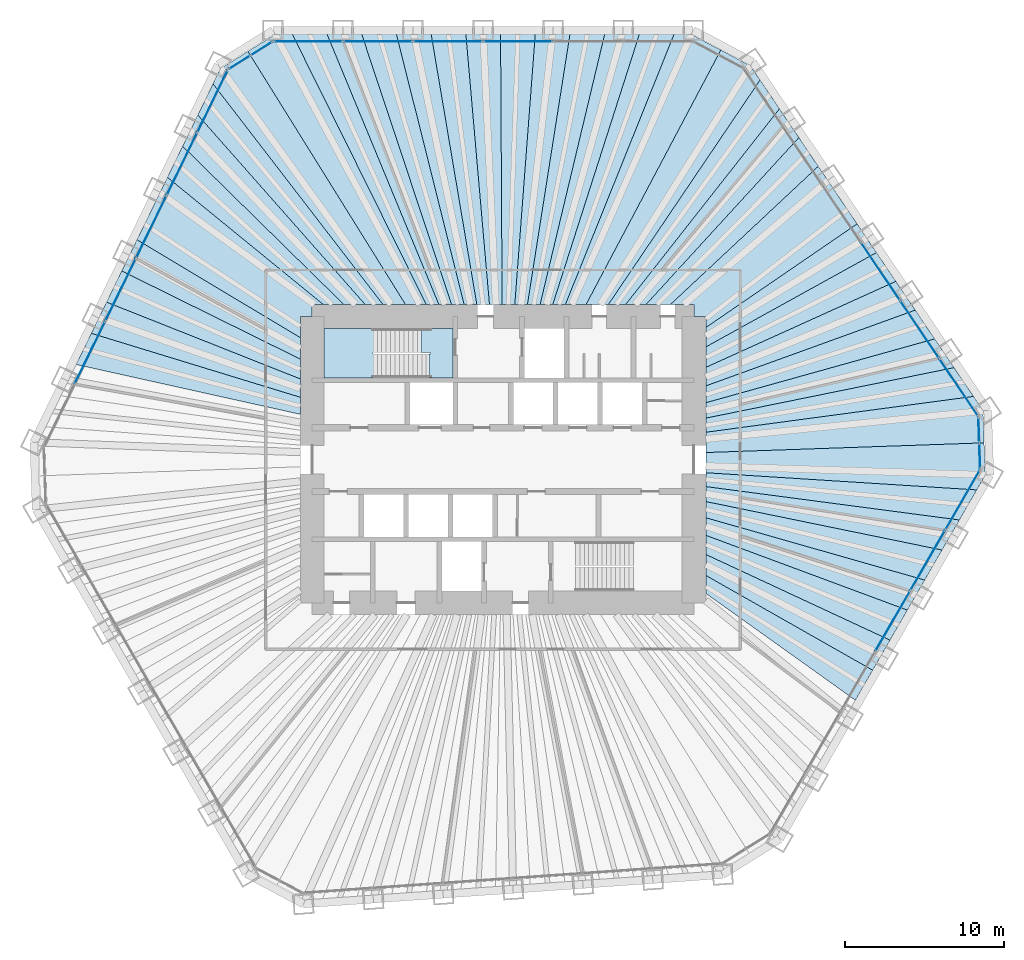
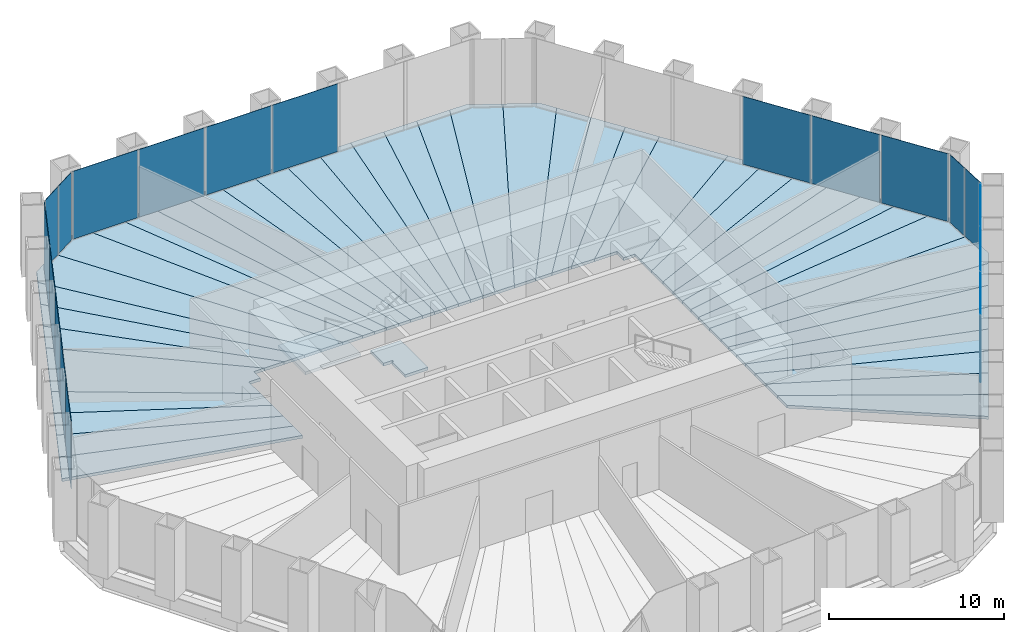
# One storey, part 9 of 13: 44 slabs, 19 plates, 7 elements without a shape of their own.
"""IFC4 building model written with IfcOpenShell, lengths in metres."""

from ifc_helpers import new_model, si_unit, direction, frame, origin, origin_2d, place, context, subcontext, project, spatial, polyline, rectangle, outline, extrude, material, layer, layer_set, type_object, element, aggregate, save


model = new_model("IFC4")

# Units and contexts
model_context = context("Model", 3, precision=1e-05, world=origin(), true_north=direction((0.0, 1.0)))
body_context = subcontext(model_context, "Body", "Model", "MODEL_VIEW")
ifc_project = project(units=[si_unit("LENGTHUNIT", "METRE"), si_unit("AREAUNIT", "SQUARE_METRE"), si_unit("VOLUMEUNIT", "CUBIC_METRE"), si_unit("PLANEANGLEUNIT", "RADIAN"), si_unit("MASSUNIT", "GRAM", prefix="KILO")], contexts=[model_context])

# Site, building, storey
site_placement = place(None, origin())
site = spatial("IfcSite", under=ifc_project, at=site_placement, CompositionType="ELEMENT")
building_placement = place(site_placement, origin())
building = spatial("IfcBuilding", under=site, at=building_placement, Name="Qingtian Harvest Tower", CompositionType="ELEMENT")
storey_placement = place(building_placement, frame((0.0, 0.0, 22.0)))
storey = spatial("IfcBuildingStorey", under=building, at=storey_placement, Name="L04", CompositionType="ELEMENT", Elevation=22.0)

# Slabs
ifc_material_1 = material(Name="Concrete fc' 35 MPa", Category="concrete")
ifc_layer_1 = layer(ifc_material_1, 0.199951171875)
ifc_layer_set_1 = layer_set([ifc_layer_1], Name="Composite floor slab FS20 200")
slab_type_1 = type_object("IfcSlabType", Name="Composite floor slab FS20 200", PredefinedType="FLOOR", material=ifc_layer_set_1)
slab_1_placement = place(storey_placement, frame((0.0, 0.0, -0.199951171875)))
element("IfcSlab", 1, at=slab_1_placement, inside=storey, type_object=slab_type_1, Name="Floor slab L04 panel D32", PredefinedType="FLOOR", context=body_context, shape_type="SweptSolid", body=[
    extrude(outline(polyline([(12.75, -7.279052734375), (23.247802734375, -13.243408203125), (22.159423828125, -15.128662109375), (12.75, -8.4091796875), (12.75, -7.279052734375)])), origin(), (0.0, 0.0, 1.0), 0.199951171875),
])
slab_2_placement = place(storey_placement, frame((0.0, 0.0, -0.199951171875)))
element("IfcSlab", 2, at=slab_2_placement, inside=storey, type_object=slab_type_1, Name="Floor slab L04 panel D33", PredefinedType="FLOOR", context=body_context, shape_type="SweptSolid", body=[
    extrude(outline(polyline([(12.75, -5.96142578125), (24.339111328125, -11.353515625), (23.247802734375, -13.243408203125), (12.75, -7.279052734375), (12.75, -5.96142578125)])), origin(), (0.0, 0.0, 1.0), 0.199951171875),
])
slab_3_placement = place(storey_placement, frame((0.0, 0.0, -0.199951171875)))
element("IfcSlab", 3, at=slab_3_placement, inside=storey, type_object=slab_type_1, Name="Floor slab L04 panel D34", PredefinedType="FLOOR", context=body_context, shape_type="SweptSolid", body=[
    extrude(outline(polyline([(12.75, -4.757080078125), (25.43017578125, -9.46337890625), (24.339111328125, -11.353515625), (12.75, -5.96142578125), (12.75, -4.757080078125)])), origin(), (0.0, 0.0, 1.0), 0.199951171875),
])
slab_4_placement = place(storey_placement, frame((0.0, 0.0, -0.199951171875)))
element("IfcSlab", 4, at=slab_4_placement, inside=storey, type_object=slab_type_1, Name="Floor slab L04 panel D35", PredefinedType="FLOOR", context=body_context, shape_type="SweptSolid", body=[
    extrude(outline(polyline([(12.75, -3.651611328125), (26.521484375, -7.573486328125), (25.43017578125, -9.46337890625), (12.75, -4.757080078125), (12.75, -3.651611328125)])), origin(), (0.0, 0.0, 1.0), 0.199951171875),
])
slab_5_placement = place(storey_placement, frame((0.0, 0.0, -0.199951171875)))
element("IfcSlab", 5, at=slab_5_placement, inside=storey, type_object=slab_type_1, Name="Floor slab L04 panel D36", PredefinedType="FLOOR", context=body_context, shape_type="SweptSolid", body=[
    extrude(outline(polyline([(12.75, -2.634033203125), (27.612548828125, -5.68359375), (26.521484375, -7.573486328125), (12.75, -3.651611328125), (12.75, -2.634033203125)])), origin(), (0.0, 0.0, 1.0), 0.199951171875),
])
slab_6_placement = place(storey_placement, frame((0.0, 0.0, -0.199951171875)))
element("IfcSlab", 6, at=slab_6_placement, inside=storey, type_object=slab_type_1, Name="Floor slab L04 panel D37", PredefinedType="FLOOR", context=body_context, shape_type="SweptSolid", body=[
    extrude(outline(polyline([(12.75, -1.693603515625), (28.703857421875, -3.793701171875), (27.612548828125, -5.68359375), (12.75, -2.634033203125), (12.75, -1.693603515625)])), origin(), (0.0, 0.0, 1.0), 0.199951171875),
])
slab_7_placement = place(storey_placement, frame((0.0, 0.0, -0.199951171875)))
element("IfcSlab", 7, at=slab_7_placement, inside=storey, type_object=slab_type_1, Name="Floor slab L04 panel D38", PredefinedType="FLOOR", context=body_context, shape_type="SweptSolid", body=[
    extrude(outline(polyline([(12.75, -0.822265625), (29.794921875, -1.903564453125), (28.703857421875, -3.793701171875), (12.75, -1.693603515625), (12.75, -0.822265625)])), origin(), (0.0, 0.0, 1.0), 0.199951171875),
])
slab_8_placement = place(storey_placement, frame((0.0, 0.0, -0.199951171875)))
element("IfcSlab", 8, at=slab_8_placement, inside=storey, type_object=slab_type_1, Name="Floor slab L04 panel D39", PredefinedType="FLOOR", context=body_context, shape_type="SweptSolid", body=[
    extrude(outline(polyline([(12.75, -0.822265625), (12.75, 0.447265625), (30.2587890625, 1.056640625), (30.32958984375, -0.9775390625), (29.794921875, -1.903564453125), (12.75, -0.822265625)])), origin(), (0.0, 0.0, 1.0), 0.199951171875),
])
slab_9_placement = place(storey_placement, frame((0.0, 0.0, -0.199951171875)))
element("IfcSlab", 9, at=slab_9_placement, inside=storey, type_object=slab_type_1, Name="Floor slab L04 panel D40", PredefinedType="FLOOR", context=body_context, shape_type="SweptSolid", body=[
    extrude(outline(polyline([(12.75, 0.447265625), (12.75, 1.72265625), (29.589599609375, 3.977294921875), (30.187744140625, 3.0908203125), (30.2587890625, 1.056640625), (12.75, 0.447265625)])), origin(), (0.0, 0.0, 1.0), 0.199951171875),
])
slab_10_placement = place(storey_placement, frame((0.0, 0.0, -0.199951171875)))
element("IfcSlab", 10, at=slab_10_placement, inside=storey, type_object=slab_type_1, Name="Floor slab L04 panel D41", PredefinedType="FLOOR", context=body_context, shape_type="SweptSolid", body=[
    extrude(outline(polyline([(12.75, 2.610595703125), (28.369140625, 5.78662109375), (29.589599609375, 3.977294921875), (12.75, 1.72265625), (12.75, 2.610595703125)])), origin(), (0.0, 0.0, 1.0), 0.199951171875),
])
slab_11_placement = place(storey_placement, frame((0.0, 0.0, -0.199951171875)))
element("IfcSlab", 11, at=slab_11_placement, inside=storey, type_object=slab_type_1, Name="Floor slab L04 panel D42", PredefinedType="FLOOR", context=body_context, shape_type="SweptSolid", body=[
    extrude(outline(polyline([(12.75, 3.57861328125), (27.14892578125, 7.595947265625), (28.369140625, 5.78662109375), (12.75, 2.610595703125), (12.75, 3.57861328125)])), origin(), (0.0, 0.0, 1.0), 0.199951171875),
])
slab_12_placement = place(storey_placement, frame((0.0, 0.0, -0.199951171875)))
element("IfcSlab", 12, at=slab_12_placement, inside=storey, type_object=slab_type_1, Name="Floor slab L04 panel D43", PredefinedType="FLOOR", context=body_context, shape_type="SweptSolid", body=[
    extrude(outline(polyline([(12.75, 4.6376953125), (25.928466796875, 9.405029296875), (27.14892578125, 7.595947265625), (12.75, 3.57861328125), (12.75, 4.6376953125)])), origin(), (0.0, 0.0, 1.0), 0.199951171875),
])
slab_13_placement = place(storey_placement, frame((0.0, 0.0, -0.199951171875)))
element("IfcSlab", 13, at=slab_13_placement, inside=storey, type_object=slab_type_1, Name="Floor slab L04 panel D44", PredefinedType="FLOOR", context=body_context, shape_type="SweptSolid", body=[
    extrude(outline(polyline([(12.75, 5.8017578125), (24.708251953125, 11.21435546875), (25.928466796875, 9.405029296875), (12.75, 4.6376953125), (12.75, 5.8017578125)])), origin(), (0.0, 0.0, 1.0), 0.199951171875),
])
slab_14_placement = place(storey_placement, frame((0.0, 0.0, -0.199951171875)))
element("IfcSlab", 14, at=slab_14_placement, inside=storey, type_object=slab_type_1, Name="Floor slab L04 panel D45", PredefinedType="FLOOR", context=body_context, shape_type="SweptSolid", body=[
    extrude(outline(polyline([(12.75, 7.087158203125), (23.48779296875, 13.023681640625), (24.708251953125, 11.21435546875), (12.75, 5.8017578125), (12.75, 7.087158203125)])), origin(), (0.0, 0.0, 1.0), 0.199951171875),
])
slab_15_placement = place(storey_placement, frame((0.0, 0.0, -0.199951171875)))
element("IfcSlab", 15, at=slab_15_placement, inside=storey, type_object=slab_type_1, Name="Floor slab L04 panel D46", PredefinedType="FLOOR", context=body_context, shape_type="SweptSolid", body=[
    extrude(outline(polyline([(12.75, 8.30615234375), (22.26953125, 14.829833984375), (23.48779296875, 13.023681640625), (12.75, 7.087158203125), (12.75, 8.30615234375)])), origin(), (0.0, 0.0, 1.0), 0.199951171875),
])
slab_16_placement = place(storey_placement, frame((0.0, 0.0, -0.199951171875)))
element("IfcSlab", 16, at=slab_16_placement, inside=storey, type_object=slab_type_1, Name="Floor slab L04 panel D48", PredefinedType="FLOOR", context=body_context, shape_type="SweptSolid", body=[
    extrude(outline(polyline([(19.8271484375, 18.45068359375), (22.26953125, 14.829833984375), (12.75, 8.30615234375), (12.75, 9.0), (12.0, 9.0), (12.0, 9.75), (10.51806640625, 9.75), (19.8271484375, 18.45068359375)])), origin(), (0.0, 0.0, 1.0), 0.199951171875),
])
slab_17_placement = place(storey_placement, frame((0.0, 0.0, -0.199951171875)))
element("IfcSlab", 17, at=slab_17_placement, inside=storey, type_object=slab_type_1, Name="Floor slab L04 panel D49", PredefinedType="FLOOR", context=body_context, shape_type="SweptSolid", body=[
    extrude(outline(polyline([(8.985107421875, 9.75), (18.60693359375, 20.260009765625), (19.8271484375, 18.45068359375), (10.51806640625, 9.75), (8.985107421875, 9.75)])), origin(), (0.0, 0.0, 1.0), 0.199951171875),
])
slab_18_placement = place(storey_placement, frame((0.0, 0.0, -0.199951171875)))
element("IfcSlab", 18, at=slab_18_placement, inside=storey, type_object=slab_type_1, Name="Floor slab L04 panel D50", PredefinedType="FLOOR", context=body_context, shape_type="SweptSolid", body=[
    extrude(outline(polyline([(7.705078125, 9.75), (17.386474609375, 22.0693359375), (18.60693359375, 20.260009765625), (8.985107421875, 9.75), (7.705078125, 9.75)])), origin(), (0.0, 0.0, 1.0), 0.199951171875),
])
slab_19_placement = place(storey_placement, frame((0.0, 0.0, -0.199951171875)))
element("IfcSlab", 19, at=slab_19_placement, inside=storey, type_object=slab_type_1, Name="Floor slab L04 panel D51", PredefinedType="FLOOR", context=body_context, shape_type="SweptSolid", body=[
    extrude(outline(polyline([(6.61962890625, 9.75), (16.166015625, 23.87841796875), (17.386474609375, 22.0693359375), (7.705078125, 9.75), (6.61962890625, 9.75)])), origin(), (0.0, 0.0, 1.0), 0.199951171875),
])
slab_20_placement = place(storey_placement, frame((0.0, 0.0, -0.199951171875)))
element("IfcSlab", 20, at=slab_20_placement, inside=storey, type_object=slab_type_1, Name="Floor slab L04 panel D52", PredefinedType="FLOOR", context=body_context, shape_type="SweptSolid", body=[
    extrude(outline(polyline([(6.61962890625, 9.75), (5.21875, 9.75), (13.697265625, 25.760009765625), (15.56787109375, 24.765380859375), (16.166015625, 23.87841796875), (6.61962890625, 9.75)])), origin(), (0.0, 0.0, 1.0), 0.199951171875),
])
slab_21_placement = place(storey_placement, frame((0.0, 0.0, -0.199951171875)))
element("IfcSlab", 21, at=slab_21_placement, inside=storey, type_object=slab_type_1, Name="Floor slab L04 panel D53", PredefinedType="FLOOR", context=body_context, shape_type="SweptSolid", body=[
    extrude(outline(polyline([(3.919921875, 9.75), (10.756591796875, 26.7548828125), (11.825927734375, 26.7548828125), (13.697265625, 25.760009765625), (5.21875, 9.75), (3.919921875, 9.75)])), origin(), (0.0, 0.0, 1.0), 0.199951171875),
])
slab_22_placement = place(storey_placement, frame((0.0, 0.0, -0.199951171875)))
element("IfcSlab", 22, at=slab_22_placement, inside=storey, type_object=slab_type_1, Name="Floor slab L04 panel D54", PredefinedType="FLOOR", context=body_context, shape_type="SweptSolid", body=[
    extrude(outline(polyline([(3.12451171875, 9.75), (8.57421875, 26.7548828125), (10.756591796875, 26.7548828125), (3.919921875, 9.75), (3.12451171875, 9.75)])), origin(), (0.0, 0.0, 1.0), 0.199951171875),
])
slab_23_placement = place(storey_placement, frame((0.0, 0.0, -0.199951171875)))
element("IfcSlab", 23, at=slab_23_placement, inside=storey, type_object=slab_type_1, Name="Floor slab L04 panel D55", PredefinedType="FLOOR", context=body_context, shape_type="SweptSolid", body=[
    extrude(outline(polyline([(2.329345703125, 9.75), (6.391845703125, 26.7548828125), (8.57421875, 26.7548828125), (3.12451171875, 9.75), (2.329345703125, 9.75)])), origin(), (0.0, 0.0, 1.0), 0.199951171875),
])
slab_24_placement = place(storey_placement, frame((0.0, 0.0, -0.199951171875)))
element("IfcSlab", 24, at=slab_24_placement, inside=storey, type_object=slab_type_1, Name="Floor slab L04 panel D56", PredefinedType="FLOOR", context=body_context, shape_type="SweptSolid", body=[
    extrude(outline(polyline([(1.533935546875, 9.75), (4.20947265625, 26.7548828125), (6.391845703125, 26.7548828125), (2.329345703125, 9.75), (1.533935546875, 9.75)])), origin(), (0.0, 0.0, 1.0), 0.199951171875),
])
slab_25_placement = place(storey_placement, frame((0.0, 0.0, -0.199951171875)))
element("IfcSlab", 25, at=slab_25_placement, inside=storey, type_object=slab_type_1, Name="Floor slab L04 panel D57", PredefinedType="FLOOR", context=body_context, shape_type="SweptSolid", body=[
    extrude(outline(polyline([(0.73876953125, 9.75), (2.02734375, 26.7548828125), (4.20947265625, 26.7548828125), (1.533935546875, 9.75), (0.73876953125, 9.75)])), origin(), (0.0, 0.0, 1.0), 0.199951171875),
])
slab_26_placement = place(storey_placement, frame((0.0, 0.0, -0.199951171875)))
element("IfcSlab", 26, at=slab_26_placement, inside=storey, type_object=slab_type_1, Name="Floor slab L04 panel D58", PredefinedType="FLOOR", context=body_context, shape_type="SweptSolid", body=[
    extrude(outline(polyline([(-0.056396484375, 9.75), (-0.155029296875, 26.7548828125), (2.02734375, 26.7548828125), (0.73876953125, 9.75), (-0.056396484375, 9.75)])), origin(), (0.0, 0.0, 1.0), 0.199951171875),
])
slab_27_placement = place(storey_placement, frame((0.0, 0.0, -0.199951171875)))
element("IfcSlab", 27, at=slab_27_placement, inside=storey, type_object=slab_type_1, Name="Floor slab L04 panel D59", PredefinedType="FLOOR", context=body_context, shape_type="SweptSolid", body=[
    extrude(outline(polyline([(-0.851806640625, 9.75), (-2.33740234375, 26.7548828125), (-0.155029296875, 26.7548828125), (-0.056396484375, 9.75), (-0.851806640625, 9.75)])), origin(), (0.0, 0.0, 1.0), 0.199951171875),
])
slab_28_placement = place(storey_placement, frame((0.0, 0.0, -0.199951171875)))
element("IfcSlab", 28, at=slab_28_placement, inside=storey, type_object=slab_type_1, Name="Floor slab L04 panel D60", PredefinedType="FLOOR", context=body_context, shape_type="SweptSolid", body=[
    extrude(outline(polyline([(-1.64697265625, 9.75), (-4.519775390625, 26.7548828125), (-2.33740234375, 26.7548828125), (-0.851806640625, 9.75), (-1.64697265625, 9.75)])), origin(), (0.0, 0.0, 1.0), 0.199951171875),
])
slab_29_placement = place(storey_placement, frame((0.0, 0.0, -0.199951171875)))
element("IfcSlab", 29, at=slab_29_placement, inside=storey, type_object=slab_type_1, Name="Floor slab L04 panel D61", PredefinedType="FLOOR", context=body_context, shape_type="SweptSolid", body=[
    extrude(outline(polyline([(-2.4423828125, 9.75), (-6.7021484375, 26.7548828125), (-4.519775390625, 26.7548828125), (-1.64697265625, 9.75), (-2.4423828125, 9.75)])), origin(), (0.0, 0.0, 1.0), 0.199951171875),
])
slab_30_placement = place(storey_placement, frame((0.0, 0.0, -0.199951171875)))
element("IfcSlab", 30, at=slab_30_placement, inside=storey, type_object=slab_type_1, Name="Floor slab L04 panel D62", PredefinedType="FLOOR", context=body_context, shape_type="SweptSolid", body=[
    extrude(outline(polyline([(-3.237548828125, 9.75), (-8.88427734375, 26.7548828125), (-6.7021484375, 26.7548828125), (-2.4423828125, 9.75), (-3.237548828125, 9.75)])), origin(), (0.0, 0.0, 1.0), 0.199951171875),
])
slab_31_placement = place(storey_placement, frame((0.0, 0.0, -0.199951171875)))
element("IfcSlab", 31, at=slab_31_placement, inside=storey, type_object=slab_type_1, Name="Floor slab L04 panel D63", PredefinedType="FLOOR", context=body_context, shape_type="SweptSolid", body=[
    extrude(outline(polyline([(-4.032958984375, 9.75), (-11.066650390625, 26.7548828125), (-8.88427734375, 26.7548828125), (-3.237548828125, 9.75), (-4.032958984375, 9.75)])), origin(), (0.0, 0.0, 1.0), 0.199951171875),
])
slab_32_placement = place(storey_placement, frame((0.0, 0.0, -0.199951171875)))
element("IfcSlab", 32, at=slab_32_placement, inside=storey, type_object=slab_type_1, Name="Floor slab L04 panel D64", PredefinedType="FLOOR", context=body_context, shape_type="SweptSolid", body=[
    extrude(outline(polyline([(-4.828125, 9.75), (-13.2490234375, 26.7548828125), (-11.066650390625, 26.7548828125), (-4.032958984375, 9.75), (-4.828125, 9.75)])), origin(), (0.0, 0.0, 1.0), 0.199951171875),
])
slab_33_placement = place(storey_placement, frame((0.0, 0.0, -0.199951171875)))
element("IfcSlab", 33, at=slab_33_placement, inside=storey, type_object=slab_type_1, Name="Floor slab L04 panel D65", PredefinedType="FLOOR", context=body_context, shape_type="SweptSolid", body=[
    extrude(outline(polyline([(-4.828125, 9.75), (-6.130126953125, 9.75), (-16.044921875, 25.67626953125), (-14.318359375, 26.7548828125), (-13.2490234375, 26.7548828125), (-4.828125, 9.75)])), origin(), (0.0, 0.0, 1.0), 0.199951171875),
])
slab_34_placement = place(storey_placement, frame((0.0, 0.0, -0.199951171875)))
element("IfcSlab", 34, at=slab_34_placement, inside=storey, type_object=slab_type_1, Name="Floor slab L04 panel D66", PredefinedType="FLOOR", context=body_context, shape_type="SweptSolid", body=[
    extrude(outline(polyline([(-6.130126953125, 9.75), (-7.544677734375, 9.75), (-18.239501953125, 23.636474609375), (-17.7705078125, 24.597900390625), (-16.044921875, 25.67626953125), (-6.130126953125, 9.75)])), origin(), (0.0, 0.0, 1.0), 0.199951171875),
])
slab_35_placement = place(storey_placement, frame((0.0, 0.0, -0.199951171875)))
element("IfcSlab", 35, at=slab_35_placement, inside=storey, type_object=slab_type_1, Name="Floor slab L04 panel D67", PredefinedType="FLOOR", context=body_context, shape_type="SweptSolid", body=[
    extrude(outline(polyline([(-8.662109375, 9.75), (-19.196044921875, 21.675048828125), (-18.239501953125, 23.636474609375), (-7.544677734375, 9.75), (-8.662109375, 9.75)])), origin(), (0.0, 0.0, 1.0), 0.199951171875),
])
slab_36_placement = place(storey_placement, frame((0.0, 0.0, -0.199951171875)))
element("IfcSlab", 36, at=slab_36_placement, inside=storey, type_object=slab_type_1, Name="Floor slab L04 panel D68", PredefinedType="FLOOR", context=body_context, shape_type="SweptSolid", body=[
    extrude(outline(polyline([(-10.00341796875, 9.75), (-20.15283203125, 19.71337890625), (-19.196044921875, 21.675048828125), (-8.662109375, 9.75), (-10.00341796875, 9.75)])), origin(), (0.0, 0.0, 1.0), 0.199951171875),
])
slab_37_placement = place(storey_placement, frame((0.0, 0.0, -0.199951171875)))
element("IfcSlab", 37, at=slab_37_placement, inside=storey, type_object=slab_type_1, Name="Floor slab L04 panel D69", PredefinedType="FLOOR", context=body_context, shape_type="SweptSolid", body=[
    extrude(outline(polyline([(-11.2939453125, 9.75), (-21.107666015625, 17.755859375), (-20.15283203125, 19.71337890625), (-10.00341796875, 9.75), (-11.2939453125, 9.75)])), origin(), (0.0, 0.0, 1.0), 0.199951171875),
])
slab_38_placement = place(storey_placement, frame((0.0, 0.0, -0.199951171875)))
element("IfcSlab", 38, at=slab_38_placement, inside=storey, type_object=slab_type_1, Name="Floor slab L04 panel D70", PredefinedType="FLOOR", context=body_context, shape_type="SweptSolid", body=[
    extrude(outline(polyline([(-12.0, 9.0), (-12.75, 9.0), (-12.75, 7.67333984375), (-23.0224609375, 13.82958984375), (-21.107666015625, 17.755859375), (-11.2939453125, 9.75), (-12.0, 9.75), (-12.0, 9.0)])), origin(), (0.0, 0.0, 1.0), 0.199951171875),
])
slab_39_placement = place(storey_placement, frame((0.0, 0.0, -0.199951171875)))
element("IfcSlab", 39, at=slab_39_placement, inside=storey, type_object=slab_type_1, Name="Floor slab L04 panel D72", PredefinedType="FLOOR", context=body_context, shape_type="SweptSolid", body=[
    extrude(outline(polyline([(-12.75, 6.3232421875), (-23.979248046875, 11.8681640625), (-23.0224609375, 13.82958984375), (-12.75, 7.67333984375), (-12.75, 6.3232421875)])), origin(), (0.0, 0.0, 1.0), 0.199951171875),
])
slab_40_placement = place(storey_placement, frame((0.0, 0.0, -0.199951171875)))
element("IfcSlab", 40, at=slab_40_placement, inside=storey, type_object=slab_type_1, Name="Floor slab L04 panel D73", PredefinedType="FLOOR", context=body_context, shape_type="SweptSolid", body=[
    extrude(outline(polyline([(-12.75, 5.076904296875), (-24.935791015625, 9.90673828125), (-23.979248046875, 11.8681640625), (-12.75, 6.3232421875), (-12.75, 5.076904296875)])), origin(), (0.0, 0.0, 1.0), 0.199951171875),
])
slab_41_placement = place(storey_placement, frame((0.0, 0.0, -0.199951171875)))
element("IfcSlab", 41, at=slab_41_placement, inside=storey, type_object=slab_type_1, Name="Floor slab L04 panel D74", PredefinedType="FLOOR", context=body_context, shape_type="SweptSolid", body=[
    extrude(outline(polyline([(-12.75, 3.922607421875), (-25.892578125, 7.9453125), (-24.935791015625, 9.90673828125), (-12.75, 5.076904296875), (-12.75, 3.922607421875)])), origin(), (0.0, 0.0, 1.0), 0.199951171875),
])
slab_42_placement = place(storey_placement, frame((0.0, 0.0, -0.199951171875)))
element("IfcSlab", 42, at=slab_42_placement, inside=storey, type_object=slab_type_1, Name="Floor slab L04 panel D75", PredefinedType="FLOOR", context=body_context, shape_type="SweptSolid", body=[
    extrude(outline(polyline([(-12.75, 2.8505859375), (-26.84912109375, 5.98388671875), (-25.892578125, 7.9453125), (-12.75, 3.922607421875), (-12.75, 2.8505859375)])), origin(), (0.0, 0.0, 1.0), 0.199951171875),
])

# Curtain wall, plates
ifc_material_2 = material(Name="Bronze-anodised aluminium curtain wall", Category="aluminium")
curtain_wall_type = type_object("IfcCurtainWallType", Name="Curtain wall CW2 farm reception", PredefinedType="USERDEFINED", material=ifc_material_2)
curtain_wall_1_placement = place(storey_placement, origin())
curtain_wall_1 = element("IfcCurtainWall", 43, at=curtain_wall_1_placement, inside=storey, type_object=curtain_wall_type, Name="Curtain wall CW2 L04 N0-5", ObjectType="RECESSED CURTAIN WALL", PredefinedType="USERDEFINED")
ifc_material_3 = material(Name="Bronze-tinted laminated insulating glass", Category="glass")
ifc_layer_2 = layer(ifc_material_3, 0.030029296875)
ifc_layer_set_2 = layer_set([ifc_layer_2], Name="Glazed panel CWP tinted IGU")
plate_type = type_object("IfcPlateType", Name="Glazed panel CWP tinted IGU", PredefinedType="CURTAIN_PANEL", material=ifc_layer_set_2)
plate_1_placement = place(storey_placement, frame((-12.2529296875, 26.300048828125, 0.06494140625), z_axis=(0.0, 0.0, 1.0), x_axis=(1.0, 0.0, 0.0)))
plate_1 = element("IfcPlate", 44, at=plate_1_placement, type_object=plate_type, Name="CW2 panel 1.1", PredefinedType="CURTAIN_PANEL", context=body_context, shape_type="SweptSolid", body=[
    extrude(rectangle(XDim=4.30712890625, YDim=0.030029296875, at=origin_2d()), origin(), (0.0, 0.0, 1.0), 4.735107421875),
])
plate_2_placement = place(storey_placement, frame((-7.864501953125, 26.300048828125, 0.06494140625), z_axis=(0.0, 0.0, 1.0), x_axis=(1.0, 0.0, 0.0)))
plate_2 = element("IfcPlate", 45, at=plate_2_placement, type_object=plate_type, Name="CW2 panel 2.1", PredefinedType="CURTAIN_PANEL", context=body_context, shape_type="SweptSolid", body=[
    extrude(rectangle(XDim=4.339599609375, YDim=0.030029296875, at=origin_2d()), origin(), (0.0, 0.0, 1.0), 4.735107421875),
])
plate_3_placement = place(storey_placement, frame((-3.4599609375, 26.300048828125, 0.06494140625), z_axis=(0.0, 0.0, 1.0), x_axis=(1.0, 0.0, 0.0)))
plate_3 = element("IfcPlate", 46, at=plate_3_placement, type_object=plate_type, Name="CW2 panel 3.1", PredefinedType="CURTAIN_PANEL", context=body_context, shape_type="SweptSolid", body=[
    extrude(rectangle(XDim=4.339599609375, YDim=0.030029296875, at=origin_2d()), origin(), (0.0, 0.0, 1.0), 4.735107421875),
])
plate_4_placement = place(storey_placement, frame((0.944580078125, 26.300048828125, 0.06494140625), z_axis=(0.0, 0.0, 1.0), x_axis=(1.0, 0.0, 0.0)))
plate_4 = element("IfcPlate", 47, at=plate_4_placement, type_object=plate_type, Name="CW2 panel 4.1", PredefinedType="CURTAIN_PANEL", context=body_context, shape_type="SweptSolid", body=[
    extrude(rectangle(XDim=4.339599609375, YDim=0.030029296875, at=origin_2d()), origin(), (0.0, 0.0, 1.0), 4.735107421875),
])
aggregate(curtain_wall_1, [plate_1, plate_2, plate_3, plate_4])

curtain_wall_2_placement = place(storey_placement, origin())
curtain_wall_2 = element("IfcCurtainWall", 48, at=curtain_wall_2_placement, inside=storey, type_object=curtain_wall_type, Name="Curtain wall CW2 L04 NE0-5", ObjectType="RECESSED CURTAIN WALL", PredefinedType="USERDEFINED")
plate_5_placement = place(storey_placement, frame((23.738525390625, 11.83837890625, 0.06494140625), z_axis=(0.0, 0.0, 1.0), x_axis=(0.559192903471, -0.829037572555, 0.0)))
plate_5 = element("IfcPlate", 49, at=plate_5_placement, type_object=plate_type, Name="CW2 panel 4.1", PredefinedType="CURTAIN_PANEL", context=body_context, shape_type="SweptSolid", body=[
    extrude(rectangle(XDim=4.339599609375, YDim=0.030029296875, at=origin_2d()), origin(), (0.0, 0.0, 1.0), 4.735107421875),
])
plate_6_placement = place(storey_placement, frame((26.201416015625, 8.186767578125, 0.06494140625), z_axis=(0.0, 0.0, 1.0), x_axis=(0.559192903471, -0.829037572555, 0.0)))
plate_6 = element("IfcPlate", 50, at=plate_6_placement, type_object=plate_type, Name="CW2 panel 5.1", PredefinedType="CURTAIN_PANEL", context=body_context, shape_type="SweptSolid", body=[
    extrude(rectangle(XDim=4.339599609375, YDim=0.030029296875, at=origin_2d()), origin(), (0.0, 0.0, 1.0), 4.735107421875),
])
plate_7_placement = place(storey_placement, frame((28.655517578125, 4.548583984375, 0.06494140625), z_axis=(0.0, 0.0, 1.0), x_axis=(0.559192903471, -0.829037572555, 0.0)))
plate_7 = element("IfcPlate", 51, at=plate_7_placement, type_object=plate_type, Name="CW2 panel 6.1", PredefinedType="CURTAIN_PANEL", context=body_context, shape_type="SweptSolid", body=[
    extrude(rectangle(XDim=4.30712890625, YDim=0.030029296875, at=origin_2d()), origin(), (0.0, 0.0, 1.0), 4.735107421875),
])
aggregate(curtain_wall_2, [plate_5, plate_6, plate_7])

curtain_wall_3_placement = place(storey_placement, origin())
curtain_wall_3 = element("IfcCurtainWall", 52, at=curtain_wall_3_placement, inside=storey, type_object=curtain_wall_type, Name="Curtain wall CW2 L04 NEC", ObjectType="RECESSED CURTAIN WALL", PredefinedType="USERDEFINED")
plate_8_placement = place(storey_placement, frame((29.925537109375, 1.861572265625, 0.06494140625), z_axis=(0.0, 0.0, 1.0), x_axis=(0.034899496703, -0.999390827019, 0.0)))
plate_8 = element("IfcPlate", 53, at=plate_8_placement, type_object=plate_type, Name="CW2 panel 1.1", PredefinedType="CURTAIN_PANEL", context=body_context, shape_type="SweptSolid", body=[
    extrude(rectangle(XDim=1.56689453125, YDim=0.030029296875, at=origin_2d()), origin(), (0.0, 0.0, 1.0), 4.735107421875),
])
plate_9_placement = place(storey_placement, frame((29.982666015625, 0.23046875, 0.06494140625), z_axis=(0.0, 0.0, 1.0), x_axis=(0.034899496703, -0.999390827019, 0.0)))
plate_9 = element("IfcPlate", 54, at=plate_9_placement, type_object=plate_type, Name="CW2 panel 2.1", PredefinedType="CURTAIN_PANEL", context=body_context, shape_type="SweptSolid", body=[
    extrude(rectangle(XDim=1.56689453125, YDim=0.030029296875, at=origin_2d()), origin(), (0.0, 0.0, 1.0), 4.735107421875),
])
aggregate(curtain_wall_3, [plate_8, plate_9])

curtain_wall_4_placement = place(storey_placement, origin())
curtain_wall_4 = element("IfcCurtainWall", 55, at=curtain_wall_4_placement, inside=storey, type_object=curtain_wall_type, Name="Curtain wall CW2 L04 SE0-5", ObjectType="RECESSED CURTAIN WALL", PredefinedType="USERDEFINED")
plate_10_placement = place(storey_placement, frame((28.90283203125, -2.53857421875, 0.06494140625), z_axis=(0.0, 0.0, 1.0), x_axis=(-0.5, -0.866025403784, 0.0)))
plate_10 = element("IfcPlate", 56, at=plate_10_placement, type_object=plate_type, Name="CW2 panel 1.1", PredefinedType="CURTAIN_PANEL", context=body_context, shape_type="SweptSolid", body=[
    extrude(rectangle(XDim=4.30712890625, YDim=0.030029296875, at=origin_2d()), origin(), (0.0, 0.0, 1.0), 4.735107421875),
])
plate_11_placement = place(storey_placement, frame((26.708740234375, -6.339111328125, 0.06494140625), z_axis=(0.0, 0.0, 1.0), x_axis=(-0.5, -0.866025403784, 0.0)))
plate_11 = element("IfcPlate", 57, at=plate_11_placement, type_object=plate_type, Name="CW2 panel 2.1", PredefinedType="CURTAIN_PANEL", context=body_context, shape_type="SweptSolid", body=[
    extrude(rectangle(XDim=4.339599609375, YDim=0.030029296875, at=origin_2d()), origin(), (0.0, 0.0, 1.0), 4.735107421875),
])
plate_12_placement = place(storey_placement, frame((24.50634765625, -10.153564453125, 0.06494140625), z_axis=(0.0, 0.0, 1.0), x_axis=(-0.5, -0.866025403784, 0.0)))
plate_12 = element("IfcPlate", 58, at=plate_12_placement, type_object=plate_type, Name="CW2 panel 3.1", PredefinedType="CURTAIN_PANEL", context=body_context, shape_type="SweptSolid", body=[
    extrude(rectangle(XDim=4.339599609375, YDim=0.030029296875, at=origin_2d()), origin(), (0.0, 0.0, 1.0), 4.735107421875),
])
aggregate(curtain_wall_4, [plate_10, plate_11, plate_12])

curtain_wall_5_placement = place(storey_placement, origin())
curtain_wall_5 = element("IfcCurtainWall", 59, at=curtain_wall_5_placement, inside=storey, type_object=curtain_wall_type, Name="Curtain wall CW2 L04 NW0-5", ObjectType="RECESSED CURTAIN WALL", PredefinedType="USERDEFINED")
plate_13_placement = place(storey_placement, frame((-25.983154296875, 6.72119140625, 0.06494140625), z_axis=(0.0, 0.0, 1.0), x_axis=(0.438371146789, 0.898794046299, 0.0)))
plate_13 = element("IfcPlate", 60, at=plate_13_placement, type_object=plate_type, Name="CW2 panel 2.1", PredefinedType="CURTAIN_PANEL", context=body_context, shape_type="SweptSolid", body=[
    extrude(rectangle(XDim=4.339599609375, YDim=0.030029296875, at=origin_2d()), origin(), (0.0, 0.0, 1.0), 4.735107421875),
])
plate_14_placement = place(storey_placement, frame((-24.052490234375, 10.68017578125, 0.06494140625), z_axis=(0.0, 0.0, 1.0), x_axis=(0.438371146789, 0.898794046299, 0.0)))
plate_14 = element("IfcPlate", 61, at=plate_14_placement, type_object=plate_type, Name="CW2 panel 3.1", PredefinedType="CURTAIN_PANEL", context=body_context, shape_type="SweptSolid", body=[
    extrude(rectangle(XDim=4.339599609375, YDim=0.030029296875, at=origin_2d()), origin(), (0.0, 0.0, 1.0), 4.735107421875),
])
plate_15_placement = place(storey_placement, frame((-22.12158203125, 14.638916015625, 0.06494140625), z_axis=(0.0, 0.0, 1.0), x_axis=(0.438371146789, 0.898794046299, 0.0)))
plate_15 = element("IfcPlate", 62, at=plate_15_placement, type_object=plate_type, Name="CW2 panel 4.1", PredefinedType="CURTAIN_PANEL", context=body_context, shape_type="SweptSolid", body=[
    extrude(rectangle(XDim=4.339599609375, YDim=0.030029296875, at=origin_2d()), origin(), (0.0, 0.0, 1.0), 4.735107421875),
])
plate_16_placement = place(storey_placement, frame((-20.190673828125, 18.597900390625, 0.06494140625), z_axis=(0.0, 0.0, 1.0), x_axis=(0.438371146789, 0.898794046299, 0.0)))
plate_16 = element("IfcPlate", 63, at=plate_16_placement, type_object=plate_type, Name="CW2 panel 5.1", PredefinedType="CURTAIN_PANEL", context=body_context, shape_type="SweptSolid", body=[
    extrude(rectangle(XDim=4.339599609375, YDim=0.030029296875, at=origin_2d()), origin(), (0.0, 0.0, 1.0), 4.735107421875),
])
plate_17_placement = place(storey_placement, frame((-18.266845703125, 22.5419921875, 0.06494140625), z_axis=(0.0, 0.0, 1.0), x_axis=(0.438371146789, 0.898794046299, 0.0)))
plate_17 = element("IfcPlate", 64, at=plate_17_placement, type_object=plate_type, Name="CW2 panel 6.1", PredefinedType="CURTAIN_PANEL", context=body_context, shape_type="SweptSolid", body=[
    extrude(rectangle(XDim=4.30712890625, YDim=0.030029296875, at=origin_2d()), origin(), (0.0, 0.0, 1.0), 4.735107421875),
])
aggregate(curtain_wall_5, [plate_13, plate_14, plate_15, plate_16, plate_17])

curtain_wall_6_placement = place(storey_placement, origin())
curtain_wall_6 = element("IfcCurtainWall", 65, at=curtain_wall_6_placement, inside=storey, type_object=curtain_wall_type, Name="Curtain wall CW2 L04 NWC", ObjectType="RECESSED CURTAIN WALL", PredefinedType="USERDEFINED")
plate_18_placement = place(storey_placement, frame((-16.574951171875, 24.985595703125, 0.06494140625), z_axis=(0.0, 0.0, 1.0), x_axis=(0.848048096156, 0.529919264233, 0.0)))
plate_18 = element("IfcPlate", 66, at=plate_18_placement, type_object=plate_type, Name="CW2 panel 1.1", PredefinedType="CURTAIN_PANEL", context=body_context, shape_type="SweptSolid", body=[
    extrude(rectangle(XDim=1.56689453125, YDim=0.030029296875, at=origin_2d()), origin(), (0.0, 0.0, 1.0), 4.735107421875),
])
plate_19_placement = place(storey_placement, frame((-15.19091796875, 25.850341796875, 0.06494140625), z_axis=(0.0, 0.0, 1.0), x_axis=(0.848048096156, 0.529919264233, 0.0)))
plate_19 = element("IfcPlate", 67, at=plate_19_placement, type_object=plate_type, Name="CW2 panel 2.1", PredefinedType="CURTAIN_PANEL", context=body_context, shape_type="SweptSolid", body=[
    extrude(rectangle(XDim=1.56689453125, YDim=0.030029296875, at=origin_2d()), origin(), (0.0, 0.0, 1.0), 4.735107421875),
])
aggregate(curtain_wall_6, [plate_18, plate_19])

# Stair, slabs
ifc_material_4 = material(Name="Concrete fc' 35 MPa", Category="concrete")
stair_type = type_object("IfcStairType", Name="Special stair ST2 5000", PredefinedType="HALF_TURN_STAIR", material=ifc_material_4)
stair_placement = place(storey_placement, origin())
stair = element("IfcStair", 68, at=stair_placement, inside=storey, type_object=stair_type, Name="Special stair S1 L04", PredefinedType="HALF_TURN_STAIR")
ifc_material_5 = material(Name="Concrete fc' 35 MPa", Category="concrete")
ifc_layer_3 = layer(ifc_material_5, 0.199951171875)
ifc_layer_set_3 = layer_set([ifc_layer_3], Name="Stair landing SL2 200")
slab_type_2 = type_object("IfcSlabType", Name="Stair landing SL2 200", PredefinedType="LANDING", material=ifc_layer_set_3)
slab_43_placement = place(storey_placement, frame((0.0, 0.0, -0.199951171875)))
slab_43 = element("IfcSlab", 69, at=slab_43_placement, type_object=slab_type_2, Name="S1 landing 1", PredefinedType="LANDING", context=body_context, shape_type="SweptSolid", body=[
    extrude(outline(polyline([(-4.64990234375, 5.14990234375), (-4.64990234375, 6.64990234375), (-4.550048828125, 6.64990234375), (-4.550048828125, 6.75), (-5.155029296875, 6.75), (-5.155029296875, 8.25), (-3.14990234375, 8.25), (-3.14990234375, 5.14990234375), (-4.64990234375, 5.14990234375)])), origin(), (0.0, 0.0, 1.0), 0.199951171875),
])
slab_44_placement = place(storey_placement, frame((0.0, 0.0, 2.300048828125)))
slab_44 = element("IfcSlab", 70, at=slab_44_placement, type_object=slab_type_2, Name="S1 landing 2", PredefinedType="LANDING", context=body_context, shape_type="SweptSolid", body=[
    extrude(outline(polyline([(-7.5849609375, 5.14990234375), (-11.25, 5.14990234375), (-11.25, 8.25), (-8.090087890625, 8.25), (-8.090087890625, 6.75), (-8.18994140625, 6.75), (-8.18994140625, 6.64990234375), (-7.5849609375, 6.64990234375), (-7.5849609375, 5.14990234375)])), origin(), (0.0, 0.0, 1.0), 0.199951171875),
])
aggregate(stair, [slab_43, slab_44])

save(model, "model.ifc")
